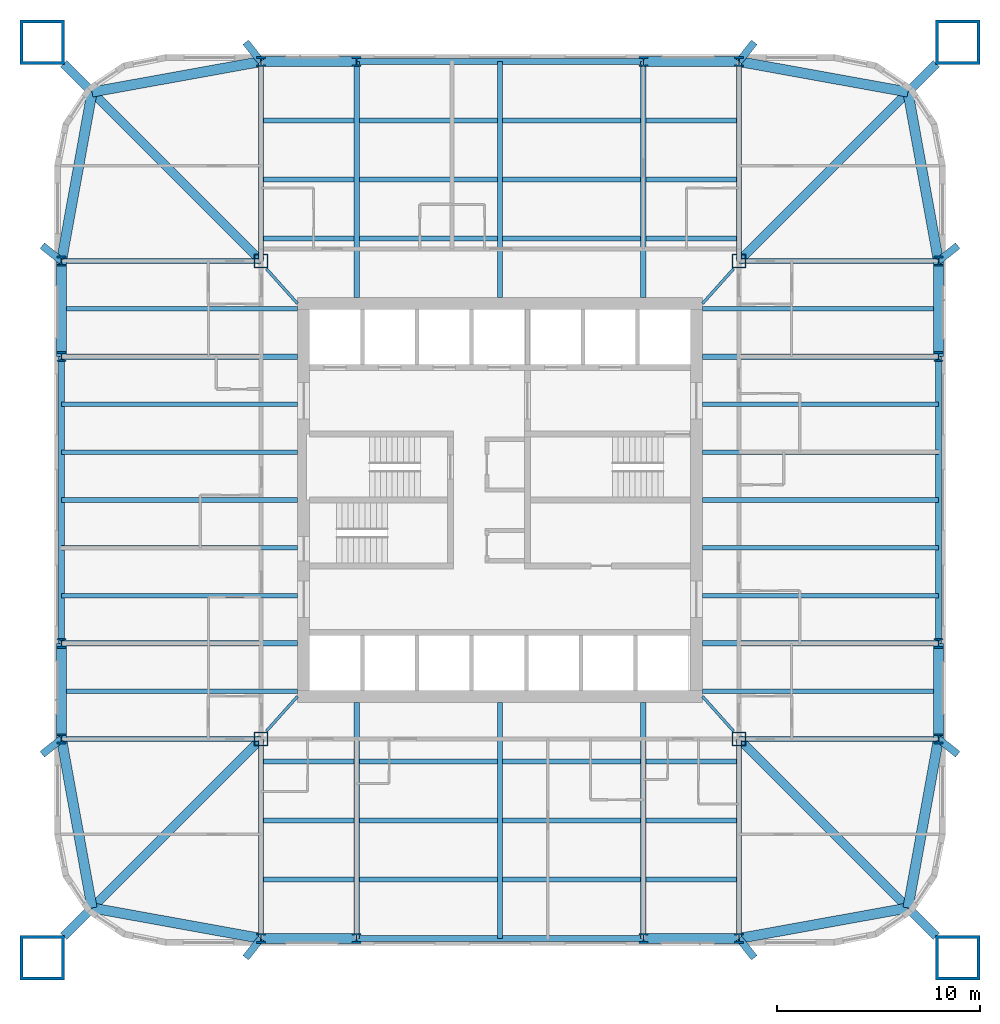
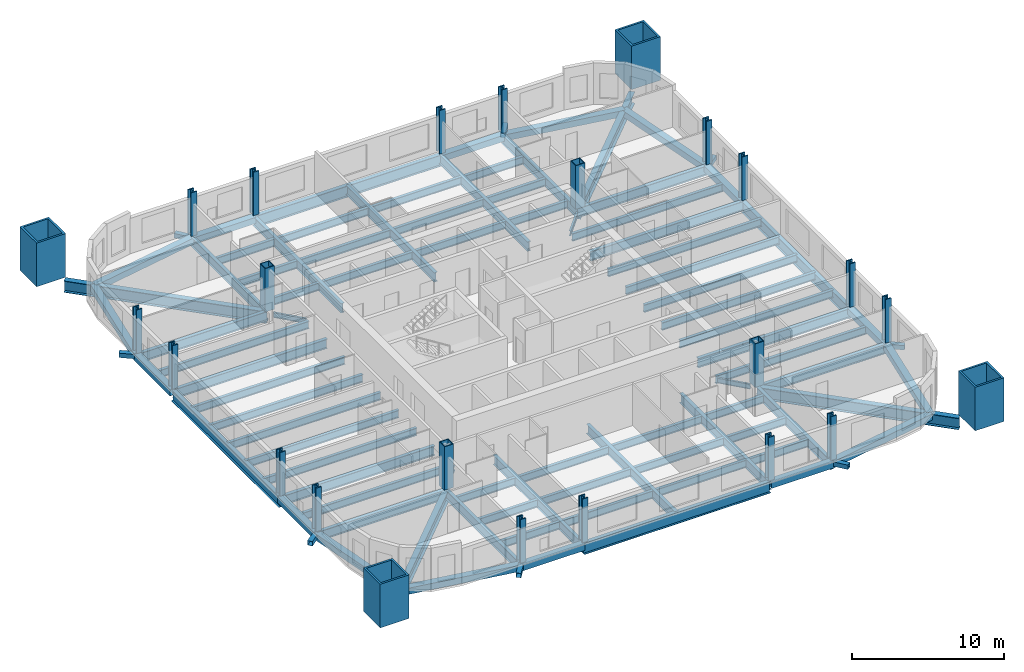
# One storey, part 1 of 10: 92 beams, 24 columns.
"""IFC4 building model written with IfcOpenShell, lengths in metres."""

from ifc_helpers import new_model, si_unit, direction, frame, origin, origin_2d, place, context, subcontext, project, spatial, hollow_rectangle, i_section, extrude, material, material_profile, profile_set, type_object, element, save


model = new_model("IFC4")

# Units and contexts
model_context = context("Model", 3, precision=1e-05, world=origin(), true_north=direction((0.0, 1.0)))
body_context = subcontext(model_context, "Body", "Model", "MODEL_VIEW")
ifc_project = project(units=[si_unit("LENGTHUNIT", "METRE"), si_unit("AREAUNIT", "SQUARE_METRE"), si_unit("VOLUMEUNIT", "CUBIC_METRE"), si_unit("PLANEANGLEUNIT", "RADIAN"), si_unit("MASSUNIT", "GRAM", prefix="KILO")], contexts=[model_context])

# Site, building, storey
site_placement = place(None, origin())
site = spatial("IfcSite", under=ifc_project, at=site_placement, CompositionType="ELEMENT")
building_placement = place(site_placement, origin())
building = spatial("IfcBuilding", under=site, at=building_placement, Name="Turquesa Mirador Hotel Tower", CompositionType="ELEMENT")
storey_placement = place(building_placement, frame((0.0, 0.0, 39.0)))
storey = spatial("IfcBuildingStorey", under=building, at=storey_placement, Name="L09", CompositionType="ELEMENT", Elevation=39.0)

# Columns
ifc_material_1 = material(Name="Steel ASTM A572 Grade 50", Category="steel")
ifc_material_profile_1 = material_profile(ifc_material_1, hollow_rectangle(XDim=0.699951171875, YDim=0.699951171875, WallThickness=0.06005859375, at=origin_2d()), Name="BOX700X700X60")
ifc_profile_set_1 = profile_set([ifc_material_profile_1], Name="Steel ASTM A572 Grade 50")
column_type_1 = type_object("IfcColumnType", Name="COLUMN BOX700X700X60", PredefinedType="COLUMN", material=ifc_profile_set_1)
for number, where, z_axis, x_axis, name in (
    (1, (43.199951171875, 33.199951171875, 0.0), (0.0, 0.0, 1.0), (1.0, 0.0, 0.0), "COL-L09-K--11.80--11.80"),
    (2, (43.199951171875, 56.800048828125, 0.0), (0.0, 0.0, 1.0), (1.0, 0.0, 0.0), "COL-L09-K--11.80-+11.80"),
    (3, (66.800048828125, 33.199951171875, 0.0), (0.0, 0.0, 1.0), (1.0, 0.0, 0.0), "COL-L09-K-+11.80--11.80"),
    (4, (66.800048828125, 56.800048828125, 0.0), (0.0, 0.0, 1.0), (1.0, 0.0, 0.0), "COL-L09-K-+11.80-+11.80"),
):
    element("IfcColumn", number, at=place(storey_placement, frame(where, z_axis=z_axis, x_axis=x_axis)), inside=storey, type_object=column_type_1, Name=name, PredefinedType="COLUMN", context=body_context, shape_type="SweptSolid", body=[
        extrude(hollow_rectangle(XDim=0.699951171875, YDim=0.699951171875, WallThickness=0.06005859375, at=origin_2d()), origin(), (0.0, 0.0, 1.0), 3.5),
    ])
ifc_material_2 = material(Name="Steel ASTM A992 Grade 50", Category="steel")
ifc_material_profile_2 = material_profile(ifc_material_2, i_section(OverallWidth=0.431884765625, OverallDepth=0.497802734375, WebThickness=0.0556640625, FlangeThickness=0.0888671875, at=origin_2d()), Name="W14X500")
ifc_profile_set_2 = profile_set([ifc_material_profile_2], Name="Steel ASTM A992 Grade 50")
column_type_2 = type_object("IfcColumnType", Name="COLUMN W14X500", PredefinedType="COLUMN", material=ifc_profile_set_2)
for number, where, z_axis, x_axis, name in (
    (5, (33.35009765625, 33.199951171875, 0.0), (0.0, 0.0, 1.0), (1.0, 0.0, 0.0), "COL-L09-P--21.65--11.80"),
    (6, (33.35009765625, 37.919921875, 0.0), (0.0, 0.0, 1.0), (1.0, 0.0, 0.0), "COL-L09-P--21.65--7.08"),
    (7, (33.35009765625, 52.080078125, 0.0), (0.0, 0.0, 1.0), (1.0, 0.0, 0.0), "COL-L09-P--21.65-+7.08"),
    (8, (33.35009765625, 56.800048828125, 0.0), (0.0, 0.0, 1.0), (1.0, 0.0, 0.0), "COL-L09-P--21.65-+11.80"),
    (9, (43.199951171875, 23.35009765625, 0.0), (0.0, 0.0, 1.0), (1.0, 0.0, 0.0), "COL-L09-P--11.80--21.65"),
    (10, (43.199951171875, 66.64990234375, 0.0), (0.0, 0.0, 1.0), (1.0, 0.0, 0.0), "COL-L09-P--11.80-+21.65"),
    (11, (47.919921875, 23.35009765625, 0.0), (0.0, 0.0, 1.0), (1.0, 0.0, 0.0), "COL-L09-P--7.08--21.65"),
    (12, (47.919921875, 66.64990234375, 0.0), (0.0, 0.0, 1.0), (1.0, 0.0, 0.0), "COL-L09-P--7.08-+21.65"),
    (13, (62.080078125, 23.35009765625, 0.0), (0.0, 0.0, 1.0), (1.0, 0.0, 0.0), "COL-L09-P-+7.08--21.65"),
    (14, (62.080078125, 66.64990234375, 0.0), (0.0, 0.0, 1.0), (1.0, 0.0, 0.0), "COL-L09-P-+7.08-+21.65"),
    (15, (66.800048828125, 23.35009765625, 0.0), (0.0, 0.0, 1.0), (1.0, 0.0, 0.0), "COL-L09-P-+11.80--21.65"),
    (16, (66.800048828125, 66.64990234375, 0.0), (0.0, 0.0, 1.0), (1.0, 0.0, 0.0), "COL-L09-P-+11.80-+21.65"),
    (17, (76.64990234375, 33.199951171875, 0.0), (0.0, 0.0, 1.0), (1.0, 0.0, 0.0), "COL-L09-P-+21.65--11.80"),
    (18, (76.64990234375, 37.919921875, 0.0), (0.0, 0.0, 1.0), (1.0, 0.0, 0.0), "COL-L09-P-+21.65--7.08"),
    (19, (76.64990234375, 52.080078125, 0.0), (0.0, 0.0, 1.0), (1.0, 0.0, 0.0), "COL-L09-P-+21.65-+7.08"),
    (20, (76.64990234375, 56.800048828125, 0.0), (0.0, 0.0, 1.0), (1.0, 0.0, 0.0), "COL-L09-P-+21.65-+11.80"),
):
    element("IfcColumn", number, at=place(storey_placement, frame(where, z_axis=z_axis, x_axis=x_axis)), inside=storey, type_object=column_type_2, Name=name, PredefinedType="COLUMN", context=body_context, shape_type="SweptSolid", body=[
        extrude(i_section(OverallWidth=0.431884765625, OverallDepth=0.497802734375, WebThickness=0.0556640625, FlangeThickness=0.0888671875, at=origin_2d()), origin(), (0.0, 0.0, 1.0), 3.5),
    ])
ifc_material_3 = material(Name="Steel ASTM A514 Grade Q", Category="steel")
ifc_material_profile_3 = material_profile(ifc_material_3, hollow_rectangle(XDim=2.199951171875, YDim=2.199951171875, WallThickness=0.14990234375, at=origin_2d()), Name="BOX2200X2200X150")
ifc_profile_set_3 = profile_set([ifc_material_profile_3], Name="Steel ASTM A514 Grade Q")
column_type_3 = type_object("IfcColumnType", Name="MEGA COLUMN BOX2200X2200X150", PredefinedType="COLUMN", material=ifc_profile_set_3)
for number, where, z_axis, x_axis, name in (
    (21, (77.60009765625, 67.60009765625, 0.0), (0.0, 0.0, 1.0), (1.0, 0.0, 0.0), "Mega column M1"),
    (22, (32.39990234375, 67.60009765625, 0.0), (0.0, 0.0, 1.0), (1.0, 0.0, 0.0), "Mega column M2"),
    (23, (32.39990234375, 22.39990234375, 0.0), (0.0, 0.0, 1.0), (1.0, 0.0, 0.0), "Mega column M3"),
    (24, (77.60009765625, 22.39990234375, 0.0), (0.0, 0.0, 1.0), (1.0, 0.0, 0.0), "Mega column M4"),
):
    element("IfcColumn", number, at=place(storey_placement, frame(where, z_axis=z_axis, x_axis=x_axis)), inside=storey, type_object=column_type_3, Name=name, PredefinedType="COLUMN", context=body_context, shape_type="SweptSolid", body=[
        extrude(hollow_rectangle(XDim=2.199951171875, YDim=2.199951171875, WallThickness=0.14990234375, at=origin_2d()), origin(), (0.0, 0.0, 1.0), 3.5),
    ])

# Beams
ifc_material_4 = material(Name="Steel ASTM A572 Grade 50", Category="steel")
ifc_material_profile_4 = material_profile(ifc_material_4, hollow_rectangle(XDim=0.5, YDim=0.5, WallThickness=0.01611328125, at=origin_2d()), Name="BOX500X500X16")
ifc_profile_set_4 = profile_set([ifc_material_profile_4], Name="Steel ASTM A572 Grade 50")
beam_type_1 = type_object("IfcBeamType", Name="BEAM BOX500X500X16", PredefinedType="BEAM", material=ifc_profile_set_4)
for number, where, z_axis, x_axis, name in (
    (25, (43.199951171875, 66.64990234375, -0.419921875), (1.0, 0.0, 0.0), (0.0, 1.0, 0.0), "EB-L09-N-L"),
    (26, (62.080078125, 66.64990234375, -0.419921875), (1.0, 0.0, 0.0), (0.0, 1.0, 0.0), "EB-L09-N-R"),
    (27, (43.199951171875, 23.35009765625, -0.419921875), (1.0, 0.0, 0.0), (0.0, 1.0, 0.0), "EB-L09-S-L"),
    (28, (62.080078125, 23.35009765625, -0.419921875), (1.0, 0.0, 0.0), (0.0, 1.0, 0.0), "EB-L09-S-R"),
    (29, (76.64990234375, 33.199951171875, -0.419921875), (0.0, 1.0, 0.0), (-1.0, 0.0, 0.0), "EB-L09-E-L"),
    (30, (76.64990234375, 52.080078125, -0.419921875), (0.0, 1.0, 0.0), (-1.0, 0.0, 0.0), "EB-L09-E-R"),
    (31, (33.35009765625, 33.199951171875, -0.419921875), (0.0, 1.0, 0.0), (-1.0, 0.0, 0.0), "EB-L09-W-L"),
    (32, (33.35009765625, 52.080078125, -0.419921875), (0.0, 1.0, 0.0), (-1.0, 0.0, 0.0), "EB-L09-W-R"),
):
    element("IfcBeam", number, at=place(storey_placement, frame(where, z_axis=z_axis, x_axis=x_axis)), inside=storey, type_object=beam_type_1, Name=name, PredefinedType="BEAM", context=body_context, shape_type="SweptSolid", body=[
        extrude(hollow_rectangle(XDim=0.5, YDim=0.5, WallThickness=0.01611328125, at=origin_2d()), origin(), (0.0, 0.0, 1.0), 4.719970703125),
    ])
for number, where, z_axis, x_axis, name in (
    (33, (76.64990234375, 56.800048828125, -0.419921875), (-0.177932387818, 0.984042715214, 0.0), (-0.984042715214, -0.177932387818, 0.0), "KE-L09-1-0"),
    (34, (75.1416015625, 65.1416015625, -0.419921875), (-0.984042715214, 0.177932387818, 0.0), (-0.177932387818, -0.984042715214, 0.0), "KE-L09-1-1"),
    (35, (33.35009765625, 56.800048828125, -0.419921875), (0.177932387818, 0.984042715214, 0.0), (-0.984042715214, 0.177932387818, 0.0), "KE-L09-2-0"),
    (36, (34.8583984375, 65.1416015625, -0.419921875), (0.984042715214, 0.177932387818, 0.0), (-0.177932387818, 0.984042715214, 0.0), "KE-L09-2-1"),
    (37, (33.35009765625, 33.199951171875, -0.419921875), (0.177932387818, -0.984042715214, 0.0), (0.984042715214, 0.177932387818, 0.0), "KE-L09-3-0"),
    (38, (34.8583984375, 24.8583984375, -0.419921875), (0.984042715214, -0.177932387818, 0.0), (0.177932387818, 0.984042715214, 0.0), "KE-L09-3-1"),
    (39, (76.64990234375, 33.199951171875, -0.419921875), (-0.177932387818, -0.984042715214, 0.0), (0.984042715214, -0.177932387818, 0.0), "KE-L09-4-0"),
    (40, (75.1416015625, 24.8583984375, -0.419921875), (-0.984042715214, -0.177932387818, 0.0), (0.177932387818, -0.984042715214, 0.0), "KE-L09-4-1"),
):
    element("IfcBeam", number, at=place(storey_placement, frame(where, z_axis=z_axis, x_axis=x_axis)), inside=storey, type_object=beam_type_1, Name=name, PredefinedType="BEAM", context=body_context, shape_type="SweptSolid", body=[
        extrude(hollow_rectangle(XDim=0.5, YDim=0.5, WallThickness=0.01611328125, at=origin_2d()), origin(), (0.0, 0.0, 1.0), 8.476806640625),
    ])
ifc_material_5 = material(Name="Steel ASTM A992 Grade 50", Category="steel")
ifc_material_profile_5 = material_profile(ifc_material_5, i_section(OverallWidth=0.140380859375, OverallDepth=0.40380859375, WebThickness=0.007080078125, FlangeThickness=0.01123046875, at=origin_2d()), Name="W16X31")
ifc_profile_set_5 = profile_set([ifc_material_profile_5], Name="Steel ASTM A992 Grade 50")
beam_type_2 = type_object("IfcBeamType", Name="BEAM W16X31", PredefinedType="BEAM", material=ifc_profile_set_5)
for number, where, z_axis, x_axis, name in (
    (41, (66.529541015625, 56.40966796875, -0.371826171875), (-0.666745084392, -0.745285846129, 0.0), (0.745285846129, -0.666745084392, 0.0), "KT-L09-1"),
    (42, (43.470458984375, 56.40966796875, -0.371826171875), (0.666745084392, -0.745285846129, 0.0), (0.745285846129, 0.666745084392, 0.0), "KT-L09-2"),
    (43, (43.470458984375, 33.59033203125, -0.371826171875), (0.666745084392, 0.745285846129, 0.0), (-0.745285846129, 0.666745084392, 0.0), "KT-L09-3"),
    (44, (66.529541015625, 33.59033203125, -0.371826171875), (-0.666745084392, 0.745285846129, 0.0), (-0.745285846129, -0.666745084392, 0.0), "KT-L09-4"),
):
    element("IfcBeam", number, at=place(storey_placement, frame(where, z_axis=z_axis, x_axis=x_axis)), inside=storey, type_object=beam_type_2, Name=name, PredefinedType="BEAM", context=body_context, shape_type="SweptSolid", body=[
        extrude(i_section(OverallWidth=0.140380859375, OverallDepth=0.40380859375, WebThickness=0.007080078125, FlangeThickness=0.01123046875, at=origin_2d()), origin(), (0.0, 0.0, 1.0), 2.2939453125),
    ])
ifc_material_6 = material(Name="Steel ASTM A992 Grade 50", Category="steel")
ifc_material_profile_6 = material_profile(ifc_material_6, i_section(OverallWidth=0.228271484375, OverallDepth=0.607177734375, WebThickness=0.01123046875, FlangeThickness=0.017333984375, at=origin_2d()), Name="W24X76")
ifc_profile_set_6 = profile_set([ifc_material_profile_6], Name="Steel ASTM A992 Grade 50")
beam_type_3 = type_object("IfcBeamType", Name="BEAM W24X76", PredefinedType="BEAM", material=ifc_profile_set_6)
beam_1_placement = place(storey_placement, frame((43.333251953125, 57.912109375, -0.4736328125), z_axis=(1.0, 0.0, 0.0), x_axis=(0.0, 1.0, 0.0)))
element("IfcBeam", 45, at=beam_1_placement, inside=storey, type_object=beam_type_3, Name="IB-L09-N-1-0", PredefinedType="BEAM", context=body_context, shape_type="SweptSolid", body=[
    extrude(i_section(OverallWidth=0.228271484375, OverallDepth=0.607177734375, WebThickness=0.01123046875, FlangeThickness=0.017333984375, at=origin_2d()), origin(), (0.0, 0.0, 1.0), 4.453369140625),
])
for number, where, z_axis, x_axis, name in (
    (46, (48.053466796875, 57.912109375, -0.4736328125), (1.0, 0.0, 0.0), (0.0, 1.0, 0.0), "IB-L09-N-1-1"),
    (47, (55.13330078125, 57.912109375, -0.4736328125), (1.0, 0.0, 0.0), (0.0, 1.0, 0.0), "IB-L09-N-1-2"),
):
    element("IfcBeam", number, at=place(storey_placement, frame(where, z_axis=z_axis, x_axis=x_axis)), inside=storey, type_object=beam_type_3, Name=name, PredefinedType="BEAM", context=body_context, shape_type="SweptSolid", body=[
        extrude(i_section(OverallWidth=0.228271484375, OverallDepth=0.607177734375, WebThickness=0.01123046875, FlangeThickness=0.017333984375, at=origin_2d()), origin(), (0.0, 0.0, 1.0), 6.813232421875),
    ])
for number, where, z_axis, x_axis, name in (
    (48, (62.21337890625, 57.912109375, -0.4736328125), (1.0, 0.0, 0.0), (0.0, 1.0, 0.0), "IB-L09-N-1-3"),
    (49, (43.333251953125, 60.824951171875, -0.4736328125), (1.0, 0.0, 0.0), (0.0, 1.0, 0.0), "IB-L09-N-2-0"),
):
    element("IfcBeam", number, at=place(storey_placement, frame(where, z_axis=z_axis, x_axis=x_axis)), inside=storey, type_object=beam_type_3, Name=name, PredefinedType="BEAM", context=body_context, shape_type="SweptSolid", body=[
        extrude(i_section(OverallWidth=0.228271484375, OverallDepth=0.607177734375, WebThickness=0.01123046875, FlangeThickness=0.017333984375, at=origin_2d()), origin(), (0.0, 0.0, 1.0), 4.453369140625),
    ])
for number, where, z_axis, x_axis, name in (
    (50, (48.053466796875, 60.824951171875, -0.4736328125), (1.0, 0.0, 0.0), (0.0, 1.0, 0.0), "IB-L09-N-2-1"),
    (51, (55.13330078125, 60.824951171875, -0.4736328125), (1.0, 0.0, 0.0), (0.0, 1.0, 0.0), "IB-L09-N-2-2"),
):
    element("IfcBeam", number, at=place(storey_placement, frame(where, z_axis=z_axis, x_axis=x_axis)), inside=storey, type_object=beam_type_3, Name=name, PredefinedType="BEAM", context=body_context, shape_type="SweptSolid", body=[
        extrude(i_section(OverallWidth=0.228271484375, OverallDepth=0.607177734375, WebThickness=0.01123046875, FlangeThickness=0.017333984375, at=origin_2d()), origin(), (0.0, 0.0, 1.0), 6.813232421875),
    ])
for number, where, z_axis, x_axis, name in (
    (52, (62.21337890625, 60.824951171875, -0.4736328125), (1.0, 0.0, 0.0), (0.0, 1.0, 0.0), "IB-L09-N-2-3"),
    (53, (43.333251953125, 63.737060546875, -0.4736328125), (1.0, 0.0, 0.0), (0.0, 1.0, 0.0), "IB-L09-N-3-0"),
):
    element("IfcBeam", number, at=place(storey_placement, frame(where, z_axis=z_axis, x_axis=x_axis)), inside=storey, type_object=beam_type_3, Name=name, PredefinedType="BEAM", context=body_context, shape_type="SweptSolid", body=[
        extrude(i_section(OverallWidth=0.228271484375, OverallDepth=0.607177734375, WebThickness=0.01123046875, FlangeThickness=0.017333984375, at=origin_2d()), origin(), (0.0, 0.0, 1.0), 4.453369140625),
    ])
for number, where, z_axis, x_axis, name in (
    (54, (48.053466796875, 63.737060546875, -0.4736328125), (1.0, 0.0, 0.0), (0.0, 1.0, 0.0), "IB-L09-N-3-1"),
    (55, (55.13330078125, 63.737060546875, -0.4736328125), (1.0, 0.0, 0.0), (0.0, 1.0, 0.0), "IB-L09-N-3-2"),
):
    element("IfcBeam", number, at=place(storey_placement, frame(where, z_axis=z_axis, x_axis=x_axis)), inside=storey, type_object=beam_type_3, Name=name, PredefinedType="BEAM", context=body_context, shape_type="SweptSolid", body=[
        extrude(i_section(OverallWidth=0.228271484375, OverallDepth=0.607177734375, WebThickness=0.01123046875, FlangeThickness=0.017333984375, at=origin_2d()), origin(), (0.0, 0.0, 1.0), 6.813232421875),
    ])
for number, where, z_axis, x_axis, name in (
    (56, (62.21337890625, 63.737060546875, -0.4736328125), (1.0, 0.0, 0.0), (0.0, 1.0, 0.0), "IB-L09-N-3-3"),
    (57, (43.333251953125, 32.087890625, -0.4736328125), (1.0, 0.0, 0.0), (0.0, 1.0, 0.0), "IB-L09-S-1-0"),
):
    element("IfcBeam", number, at=place(storey_placement, frame(where, z_axis=z_axis, x_axis=x_axis)), inside=storey, type_object=beam_type_3, Name=name, PredefinedType="BEAM", context=body_context, shape_type="SweptSolid", body=[
        extrude(i_section(OverallWidth=0.228271484375, OverallDepth=0.607177734375, WebThickness=0.01123046875, FlangeThickness=0.017333984375, at=origin_2d()), origin(), (0.0, 0.0, 1.0), 4.453369140625),
    ])
for number, where, z_axis, x_axis, name in (
    (58, (48.053466796875, 32.087890625, -0.4736328125), (1.0, 0.0, 0.0), (0.0, 1.0, 0.0), "IB-L09-S-1-1"),
    (59, (55.13330078125, 32.087890625, -0.4736328125), (1.0, 0.0, 0.0), (0.0, 1.0, 0.0), "IB-L09-S-1-2"),
):
    element("IfcBeam", number, at=place(storey_placement, frame(where, z_axis=z_axis, x_axis=x_axis)), inside=storey, type_object=beam_type_3, Name=name, PredefinedType="BEAM", context=body_context, shape_type="SweptSolid", body=[
        extrude(i_section(OverallWidth=0.228271484375, OverallDepth=0.607177734375, WebThickness=0.01123046875, FlangeThickness=0.017333984375, at=origin_2d()), origin(), (0.0, 0.0, 1.0), 6.813232421875),
    ])
for number, where, z_axis, x_axis, name in (
    (60, (62.21337890625, 32.087890625, -0.4736328125), (1.0, 0.0, 0.0), (0.0, 1.0, 0.0), "IB-L09-S-1-3"),
    (61, (43.333251953125, 29.175048828125, -0.4736328125), (1.0, 0.0, 0.0), (0.0, 1.0, 0.0), "IB-L09-S-2-0"),
):
    element("IfcBeam", number, at=place(storey_placement, frame(where, z_axis=z_axis, x_axis=x_axis)), inside=storey, type_object=beam_type_3, Name=name, PredefinedType="BEAM", context=body_context, shape_type="SweptSolid", body=[
        extrude(i_section(OverallWidth=0.228271484375, OverallDepth=0.607177734375, WebThickness=0.01123046875, FlangeThickness=0.017333984375, at=origin_2d()), origin(), (0.0, 0.0, 1.0), 4.453369140625),
    ])
for number, where, z_axis, x_axis, name in (
    (62, (48.053466796875, 29.175048828125, -0.4736328125), (1.0, 0.0, 0.0), (0.0, 1.0, 0.0), "IB-L09-S-2-1"),
    (63, (55.13330078125, 29.175048828125, -0.4736328125), (1.0, 0.0, 0.0), (0.0, 1.0, 0.0), "IB-L09-S-2-2"),
):
    element("IfcBeam", number, at=place(storey_placement, frame(where, z_axis=z_axis, x_axis=x_axis)), inside=storey, type_object=beam_type_3, Name=name, PredefinedType="BEAM", context=body_context, shape_type="SweptSolid", body=[
        extrude(i_section(OverallWidth=0.228271484375, OverallDepth=0.607177734375, WebThickness=0.01123046875, FlangeThickness=0.017333984375, at=origin_2d()), origin(), (0.0, 0.0, 1.0), 6.813232421875),
    ])
for number, where, z_axis, x_axis, name in (
    (64, (62.21337890625, 29.175048828125, -0.4736328125), (1.0, 0.0, 0.0), (0.0, 1.0, 0.0), "IB-L09-S-2-3"),
    (65, (43.333251953125, 26.262939453125, -0.4736328125), (1.0, 0.0, 0.0), (0.0, 1.0, 0.0), "IB-L09-S-3-0"),
):
    element("IfcBeam", number, at=place(storey_placement, frame(where, z_axis=z_axis, x_axis=x_axis)), inside=storey, type_object=beam_type_3, Name=name, PredefinedType="BEAM", context=body_context, shape_type="SweptSolid", body=[
        extrude(i_section(OverallWidth=0.228271484375, OverallDepth=0.607177734375, WebThickness=0.01123046875, FlangeThickness=0.017333984375, at=origin_2d()), origin(), (0.0, 0.0, 1.0), 4.453369140625),
    ])
for number, where, z_axis, x_axis, name in (
    (66, (48.053466796875, 26.262939453125, -0.4736328125), (1.0, 0.0, 0.0), (0.0, 1.0, 0.0), "IB-L09-S-3-1"),
    (67, (55.13330078125, 26.262939453125, -0.4736328125), (1.0, 0.0, 0.0), (0.0, 1.0, 0.0), "IB-L09-S-3-2"),
):
    element("IfcBeam", number, at=place(storey_placement, frame(where, z_axis=z_axis, x_axis=x_axis)), inside=storey, type_object=beam_type_3, Name=name, PredefinedType="BEAM", context=body_context, shape_type="SweptSolid", body=[
        extrude(i_section(OverallWidth=0.228271484375, OverallDepth=0.607177734375, WebThickness=0.01123046875, FlangeThickness=0.017333984375, at=origin_2d()), origin(), (0.0, 0.0, 1.0), 6.813232421875),
    ])
beam_2_placement = place(storey_placement, frame((62.21337890625, 26.262939453125, -0.4736328125), z_axis=(1.0, 0.0, 0.0), x_axis=(0.0, 1.0, 0.0)))
element("IfcBeam", 68, at=beam_2_placement, inside=storey, type_object=beam_type_3, Name="IB-L09-S-3-3", PredefinedType="BEAM", context=body_context, shape_type="SweptSolid", body=[
    extrude(i_section(OverallWidth=0.228271484375, OverallDepth=0.607177734375, WebThickness=0.01123046875, FlangeThickness=0.017333984375, at=origin_2d()), origin(), (0.0, 0.0, 1.0), 4.453369140625),
])
for number, where, z_axis, x_axis, name in (
    (69, (76.64990234375, 35.56005859375, -0.4736328125), (-1.0, 0.0, 0.0), (0.0, -1.0, 0.0), "BM-L09-E--9.44"),
    (70, (76.64990234375, 40.280029296875, -0.4736328125), (-1.0, 0.0, 0.0), (0.0, -1.0, 0.0), "BM-L09-E--4.72"),
    (71, (76.64990234375, 42.639892578125, -0.4736328125), (-1.0, 0.0, 0.0), (0.0, -1.0, 0.0), "BM-L09-E--2.36"),
    (72, (76.64990234375, 45.0, -0.4736328125), (-1.0, 0.0, 0.0), (0.0, -1.0, 0.0), "BM-L09-E-+0.00"),
    (73, (76.64990234375, 47.360107421875, -0.4736328125), (-1.0, 0.0, 0.0), (0.0, -1.0, 0.0), "BM-L09-E-+2.36"),
    (74, (76.64990234375, 49.719970703125, -0.4736328125), (-1.0, 0.0, 0.0), (0.0, -1.0, 0.0), "BM-L09-E-+4.72"),
    (75, (76.64990234375, 54.43994140625, -0.4736328125), (-1.0, 0.0, 0.0), (0.0, -1.0, 0.0), "BM-L09-E-+9.44"),
    (76, (33.35009765625, 35.56005859375, -0.4736328125), (1.0, 0.0, 0.0), (0.0, 1.0, 0.0), "BM-L09-W--9.44"),
    (77, (33.35009765625, 40.280029296875, -0.4736328125), (1.0, 0.0, 0.0), (0.0, 1.0, 0.0), "BM-L09-W--4.72"),
    (78, (33.35009765625, 42.639892578125, -0.4736328125), (1.0, 0.0, 0.0), (0.0, 1.0, 0.0), "BM-L09-W--2.36"),
    (79, (33.35009765625, 45.0, -0.4736328125), (1.0, 0.0, 0.0), (0.0, 1.0, 0.0), "BM-L09-W-+0.00"),
    (80, (33.35009765625, 47.360107421875, -0.4736328125), (1.0, 0.0, 0.0), (0.0, 1.0, 0.0), "BM-L09-W-+2.36"),
    (81, (33.35009765625, 49.719970703125, -0.4736328125), (1.0, 0.0, 0.0), (0.0, 1.0, 0.0), "BM-L09-W-+4.72"),
    (82, (33.35009765625, 54.43994140625, -0.4736328125), (1.0, 0.0, 0.0), (0.0, 1.0, 0.0), "BM-L09-W-+9.44"),
):
    element("IfcBeam", number, at=place(storey_placement, frame(where, z_axis=z_axis, x_axis=x_axis)), inside=storey, type_object=beam_type_3, Name=name, PredefinedType="BEAM", context=body_context, shape_type="SweptSolid", body=[
        extrude(i_section(OverallWidth=0.228271484375, OverallDepth=0.607177734375, WebThickness=0.01123046875, FlangeThickness=0.017333984375, at=origin_2d()), origin(), (0.0, 0.0, 1.0), 11.64990234375),
    ])
ifc_material_7 = material(Name="Steel ASTM A992 Grade 50", Category="steel")
ifc_material_profile_7 = material_profile(ifc_material_7, i_section(OverallWidth=0.2666015625, OverallDepth=0.7568359375, WebThickness=0.013916015625, FlangeThickness=0.019287109375, at=origin_2d()), Name="W30X108")
ifc_profile_set_7 = profile_set([ifc_material_profile_7], Name="Steel ASTM A992 Grade 50")
beam_type_4 = type_object("IfcBeamType", Name="BEAM W30X108", PredefinedType="BEAM", material=ifc_profile_set_7)
for number, where, z_axis, x_axis, name in (
    (83, (47.919921875, 66.64990234375, -0.54833984375), (0.0, -1.0, 0.0), (1.0, 0.0, 0.0), "GD-L09-N--7.08"),
    (84, (62.080078125, 66.64990234375, -0.54833984375), (0.0, -1.0, 0.0), (1.0, 0.0, 0.0), "GD-L09-N-+7.08"),
    (85, (55.0, 66.64990234375, -0.54833984375), (0.0, -1.0, 0.0), (1.0, 0.0, 0.0), "GD-L09-N-+0.00"),
):
    element("IfcBeam", number, at=place(storey_placement, frame(where, z_axis=z_axis, x_axis=x_axis)), inside=storey, type_object=beam_type_4, Name=name, PredefinedType="BEAM", context=body_context, shape_type="SweptSolid", body=[
        extrude(i_section(OverallWidth=0.2666015625, OverallDepth=0.7568359375, WebThickness=0.013916015625, FlangeThickness=0.019287109375, at=origin_2d()), origin(), (0.0, 0.0, 1.0), 11.64990234375),
    ])
for number, where, z_axis, x_axis, name in (
    (86, (43.199951171875, 66.64990234375, -0.54833984375), (0.0, -1.0, 0.0), (1.0, 0.0, 0.0), "GK-L09-N--11.80"),
    (87, (66.800048828125, 66.64990234375, -0.54833984375), (0.0, -1.0, 0.0), (1.0, 0.0, 0.0), "GK-L09-N-+11.80"),
):
    element("IfcBeam", number, at=place(storey_placement, frame(where, z_axis=z_axis, x_axis=x_axis)), inside=storey, type_object=beam_type_4, Name=name, PredefinedType="BEAM", context=body_context, shape_type="SweptSolid", body=[
        extrude(i_section(OverallWidth=0.2666015625, OverallDepth=0.7568359375, WebThickness=0.013916015625, FlangeThickness=0.019287109375, at=origin_2d()), origin(), (0.0, 0.0, 1.0), 9.849853515625),
    ])
for number, where, z_axis, x_axis, name in (
    (88, (47.919921875, 23.35009765625, -0.54833984375), (0.0, 1.0, 0.0), (-1.0, 0.0, 0.0), "GD-L09-S--7.08"),
    (89, (62.080078125, 23.35009765625, -0.54833984375), (0.0, 1.0, 0.0), (-1.0, 0.0, 0.0), "GD-L09-S-+7.08"),
    (90, (55.0, 23.35009765625, -0.54833984375), (0.0, 1.0, 0.0), (-1.0, 0.0, 0.0), "GD-L09-S-+0.00"),
):
    element("IfcBeam", number, at=place(storey_placement, frame(where, z_axis=z_axis, x_axis=x_axis)), inside=storey, type_object=beam_type_4, Name=name, PredefinedType="BEAM", context=body_context, shape_type="SweptSolid", body=[
        extrude(i_section(OverallWidth=0.2666015625, OverallDepth=0.7568359375, WebThickness=0.013916015625, FlangeThickness=0.019287109375, at=origin_2d()), origin(), (0.0, 0.0, 1.0), 11.64990234375),
    ])
for number, where, z_axis, x_axis, name in (
    (91, (43.199951171875, 23.35009765625, -0.54833984375), (0.0, 1.0, 0.0), (-1.0, 0.0, 0.0), "GK-L09-S--11.80"),
    (92, (66.800048828125, 23.35009765625, -0.54833984375), (0.0, 1.0, 0.0), (-1.0, 0.0, 0.0), "GK-L09-S-+11.80"),
):
    element("IfcBeam", number, at=place(storey_placement, frame(where, z_axis=z_axis, x_axis=x_axis)), inside=storey, type_object=beam_type_4, Name=name, PredefinedType="BEAM", context=body_context, shape_type="SweptSolid", body=[
        extrude(i_section(OverallWidth=0.2666015625, OverallDepth=0.7568359375, WebThickness=0.013916015625, FlangeThickness=0.019287109375, at=origin_2d()), origin(), (0.0, 0.0, 1.0), 9.849853515625),
    ])
for number, where, z_axis, x_axis, name in (
    (93, (76.64990234375, 37.919921875, -0.54833984375), (-1.0, 0.0, 0.0), (0.0, -1.0, 0.0), "GD-L09-E--7.08"),
    (94, (76.64990234375, 52.080078125, -0.54833984375), (-1.0, 0.0, 0.0), (0.0, -1.0, 0.0), "GD-L09-E-+7.08"),
):
    element("IfcBeam", number, at=place(storey_placement, frame(where, z_axis=z_axis, x_axis=x_axis)), inside=storey, type_object=beam_type_4, Name=name, PredefinedType="BEAM", context=body_context, shape_type="SweptSolid", body=[
        extrude(i_section(OverallWidth=0.2666015625, OverallDepth=0.7568359375, WebThickness=0.013916015625, FlangeThickness=0.019287109375, at=origin_2d()), origin(), (0.0, 0.0, 1.0), 11.64990234375),
    ])
for number, where, z_axis, x_axis, name in (
    (95, (76.64990234375, 33.199951171875, -0.54833984375), (-1.0, 0.0, 0.0), (0.0, -1.0, 0.0), "GK-L09-E--11.80"),
    (96, (76.64990234375, 56.800048828125, -0.54833984375), (-1.0, 0.0, 0.0), (0.0, -1.0, 0.0), "GK-L09-E-+11.80"),
):
    element("IfcBeam", number, at=place(storey_placement, frame(where, z_axis=z_axis, x_axis=x_axis)), inside=storey, type_object=beam_type_4, Name=name, PredefinedType="BEAM", context=body_context, shape_type="SweptSolid", body=[
        extrude(i_section(OverallWidth=0.2666015625, OverallDepth=0.7568359375, WebThickness=0.013916015625, FlangeThickness=0.019287109375, at=origin_2d()), origin(), (0.0, 0.0, 1.0), 9.849853515625),
    ])
for number, where, z_axis, x_axis, name in (
    (97, (33.35009765625, 37.919921875, -0.54833984375), (1.0, 0.0, 0.0), (0.0, 1.0, 0.0), "GD-L09-W--7.08"),
    (98, (33.35009765625, 52.080078125, -0.54833984375), (1.0, 0.0, 0.0), (0.0, 1.0, 0.0), "GD-L09-W-+7.08"),
):
    element("IfcBeam", number, at=place(storey_placement, frame(where, z_axis=z_axis, x_axis=x_axis)), inside=storey, type_object=beam_type_4, Name=name, PredefinedType="BEAM", context=body_context, shape_type="SweptSolid", body=[
        extrude(i_section(OverallWidth=0.2666015625, OverallDepth=0.7568359375, WebThickness=0.013916015625, FlangeThickness=0.019287109375, at=origin_2d()), origin(), (0.0, 0.0, 1.0), 11.64990234375),
    ])
for number, where, z_axis, x_axis, name in (
    (99, (33.35009765625, 33.199951171875, -0.54833984375), (1.0, 0.0, 0.0), (0.0, 1.0, 0.0), "GK-L09-W--11.80"),
    (100, (33.35009765625, 56.800048828125, -0.54833984375), (1.0, 0.0, 0.0), (0.0, 1.0, 0.0), "GK-L09-W-+11.80"),
):
    element("IfcBeam", number, at=place(storey_placement, frame(where, z_axis=z_axis, x_axis=x_axis)), inside=storey, type_object=beam_type_4, Name=name, PredefinedType="BEAM", context=body_context, shape_type="SweptSolid", body=[
        extrude(i_section(OverallWidth=0.2666015625, OverallDepth=0.7568359375, WebThickness=0.013916015625, FlangeThickness=0.019287109375, at=origin_2d()), origin(), (0.0, 0.0, 1.0), 9.849853515625),
    ])
ifc_material_8 = material(Name="Steel ASTM A992 Grade 50", Category="steel")
ifc_material_profile_8 = material_profile(ifc_material_8, i_section(OverallWidth=0.3046875, OverallDepth=0.911865234375, WebThickness=0.015869140625, FlangeThickness=0.02392578125, at=origin_2d()), Name="W36X150")
ifc_profile_set_8 = profile_set([ifc_material_profile_8], Name="Steel ASTM A992 Grade 50")
beam_type_5 = type_object("IfcBeamType", Name="BEAM W36X150", PredefinedType="BEAM", material=ifc_profile_set_8)
for number, where, z_axis, x_axis, name in (
    (101, (47.919921875, 66.64990234375, -0.6259765625), (1.0, 0.0, 0.0), (0.0, 1.0, 0.0), "EB-L09-N-C"),
    (102, (47.919921875, 23.35009765625, -0.6259765625), (1.0, 0.0, 0.0), (0.0, 1.0, 0.0), "EB-L09-S-C"),
    (103, (76.64990234375, 37.919921875, -0.6259765625), (0.0, 1.0, 0.0), (-1.0, 0.0, 0.0), "EB-L09-E-C"),
    (104, (33.35009765625, 37.919921875, -0.6259765625), (0.0, 1.0, 0.0), (-1.0, 0.0, 0.0), "EB-L09-W-C"),
):
    element("IfcBeam", number, at=place(storey_placement, frame(where, z_axis=z_axis, x_axis=x_axis)), inside=storey, type_object=beam_type_5, Name=name, PredefinedType="BEAM", context=body_context, shape_type="SweptSolid", body=[
        extrude(i_section(OverallWidth=0.3046875, OverallDepth=0.911865234375, WebThickness=0.015869140625, FlangeThickness=0.02392578125, at=origin_2d()), origin(), (0.0, 0.0, 1.0), 14.16015625),
    ])
ifc_material_9 = material(Name="Steel ASTM A992 Grade 50", Category="steel")
ifc_material_profile_9 = material_profile(ifc_material_9, i_section(OverallWidth=0.419189453125, OverallDepth=0.927001953125, WebThickness=0.019287109375, FlangeThickness=0.031982421875, at=origin_2d()), Name="W36X231")
ifc_profile_set_9 = profile_set([ifc_material_profile_9], Name="Steel ASTM A992 Grade 50")
beam_type_6 = type_object("IfcBeamType", Name="BEAM W36X231", PredefinedType="BEAM", material=ifc_profile_set_9)
for number, where, z_axis, x_axis, name in (
    (105, (66.800048828125, 56.800048828125, -0.633544921875), (0.707106781187, 0.707106781187, 0.0), (-0.707106781187, 0.707106781187, 0.0), "KD-L09-1"),
    (106, (43.199951171875, 56.800048828125, -0.633544921875), (-0.707106781187, 0.707106781187, 0.0), (-0.707106781187, -0.707106781187, 0.0), "KD-L09-2"),
    (107, (43.199951171875, 33.199951171875, -0.633544921875), (-0.707106781187, -0.707106781187, 0.0), (0.707106781187, -0.707106781187, 0.0), "KD-L09-3"),
    (108, (66.800048828125, 33.199951171875, -0.633544921875), (0.707106781187, -0.707106781187, 0.0), (0.707106781187, 0.707106781187, 0.0), "KD-L09-4"),
):
    element("IfcBeam", number, at=place(storey_placement, frame(where, z_axis=z_axis, x_axis=x_axis)), inside=storey, type_object=beam_type_6, Name=name, PredefinedType="BEAM", context=body_context, shape_type="SweptSolid", body=[
        extrude(i_section(OverallWidth=0.419189453125, OverallDepth=0.927001953125, WebThickness=0.019287109375, FlangeThickness=0.031982421875, at=origin_2d()), origin(), (0.0, 0.0, 1.0), 13.78857421875),
    ])
ifc_material_10 = material(Name="Steel ASTM A500 Grade C", Category="steel")
ifc_material_profile_10 = material_profile(ifc_material_10, hollow_rectangle(XDim=0.355712890625, YDim=0.355712890625, WallThickness=0.0146484375, at=origin_2d()), Name="HSS14X14X5/8")
ifc_profile_set_10 = profile_set([ifc_material_profile_10], Name="Steel ASTM A500 Grade C")
beam_type_7 = type_object("IfcBeamType", Name="BRACE STRUT HSS14X14X5/8", PredefinedType="BEAM", material=ifc_profile_set_10)
for number, where, z_axis, x_axis, name in (
    (109, (42.4443359375, 67.60009765625, -0.347900390625), (0.622411588545, -0.782690113931, 0.0), (0.782690113931, 0.622411588545, 0.0), "Brace strut"),
    (110, (67.5556640625, 67.60009765625, -0.347900390625), (-0.622411588545, -0.782690113931, 0.0), (0.782690113931, -0.622411588545, 0.0), "Brace strut"),
    (111, (42.4443359375, 22.39990234375, -0.347900390625), (0.622411588545, 0.782690113931, 0.0), (-0.782690113931, 0.622411588545, 0.0), "Brace strut"),
    (112, (67.5556640625, 22.39990234375, -0.347900390625), (-0.622411588545, 0.782690113931, 0.0), (-0.782690113931, -0.622411588545, 0.0), "Brace strut"),
    (113, (77.60009765625, 32.4443359375, -0.347900390625), (-0.782690113931, 0.622411588545, 0.0), (-0.622411588545, -0.782690113931, 0.0), "Brace strut"),
    (114, (77.60009765625, 57.5556640625, -0.347900390625), (-0.782690113931, -0.622411588545, 0.0), (0.622411588545, -0.782690113931, 0.0), "Brace strut"),
    (115, (32.39990234375, 32.4443359375, -0.347900390625), (0.782690113931, 0.622411588545, 0.0), (-0.622411588545, 0.782690113931, 0.0), "Brace strut"),
    (116, (32.39990234375, 57.5556640625, -0.347900390625), (0.782690113931, -0.622411588545, 0.0), (0.622411588545, 0.782690113931, 0.0), "Brace strut"),
):
    element("IfcBeam", number, at=place(storey_placement, frame(where, z_axis=z_axis, x_axis=x_axis)), inside=storey, type_object=beam_type_7, Name=name, PredefinedType="BEAM", context=body_context, shape_type="SweptSolid", body=[
        extrude(hollow_rectangle(XDim=0.355712890625, YDim=0.355712890625, WallThickness=0.0146484375, at=origin_2d()), origin(), (0.0, 0.0, 1.0), 1.214111328125),
    ])

save(model, "model.ifc")
